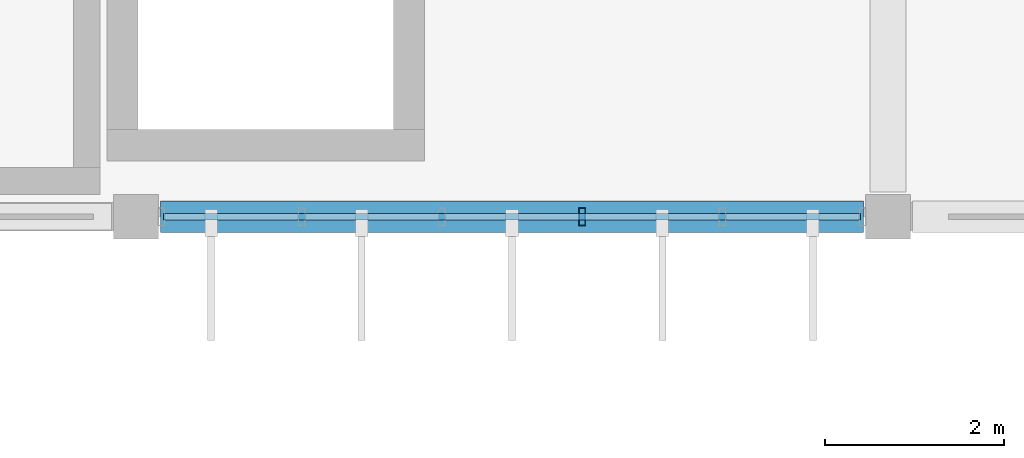
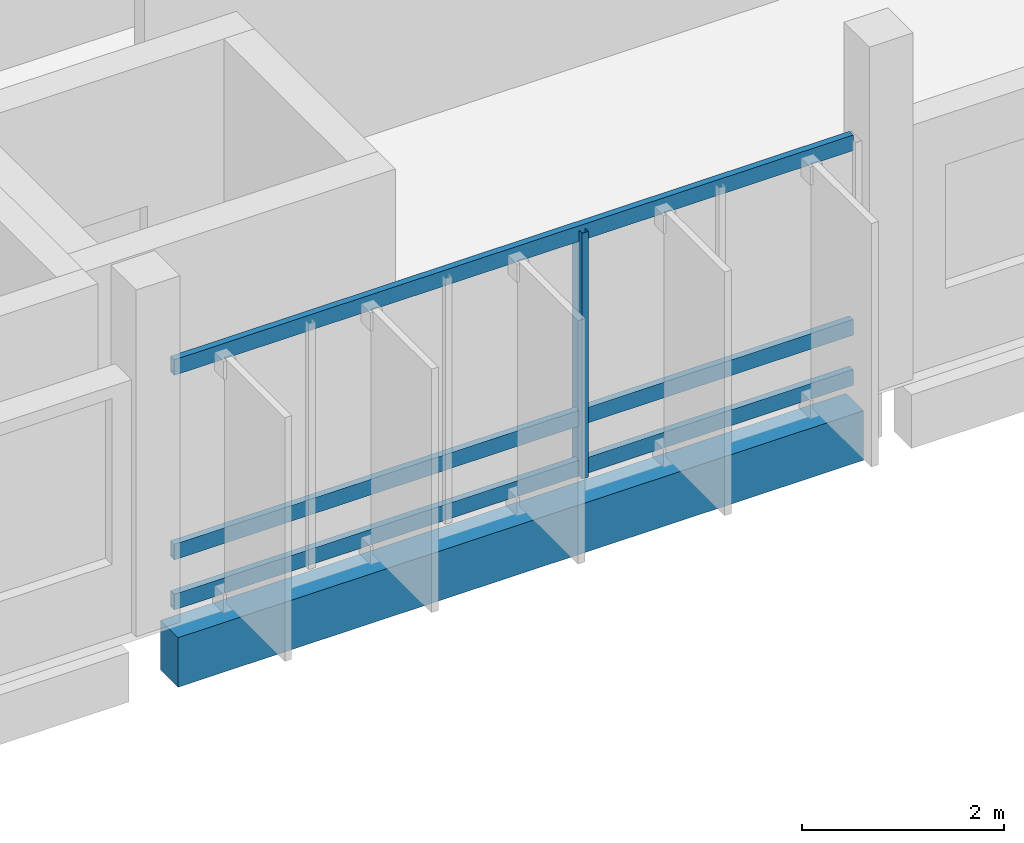
# One storey, part 39 of 107: 4 members, 1 beam, 1 element without a shape of its own.
"""IFC4 building model written with IfcOpenShell, lengths in metres."""

from ifc_helpers import new_model, si_unit, direction, frame, origin, origin_2d, place, context, subcontext, project, spatial, rectangle, hollow_rectangle, extrude, material, layer, layer_set, material_profile, profile_set, type_object, element, aggregate, save


model = new_model("IFC4")

# Units and contexts
model_context = context("Model", 3, precision=1e-05, world=origin(), true_north=direction((0.0, 1.0)))
body_context = subcontext(model_context, "Body", "Model", "MODEL_VIEW")
ifc_project = project(units=[si_unit("LENGTHUNIT", "METRE"), si_unit("AREAUNIT", "SQUARE_METRE"), si_unit("VOLUMEUNIT", "CUBIC_METRE"), si_unit("PLANEANGLEUNIT", "RADIAN"), si_unit("MASSUNIT", "GRAM", prefix="KILO")], contexts=[model_context])

# Site, building, storey
site_placement = place(None, origin())
site = spatial("IfcSite", under=ifc_project, at=site_placement, CompositionType="ELEMENT")
building_placement = place(site_placement, origin())
building = spatial("IfcBuilding", under=site, at=building_placement, Name="Vireocrest Preparatory School", CompositionType="ELEMENT")
storey_placement = place(building_placement, frame((0.0, 0.0, 13.199951171875)))
storey = spatial("IfcBuildingStorey", under=building, at=storey_placement, Name="L03", CompositionType="ELEMENT", Elevation=13.199951171875)

# Curtain wall, members
ifc_material_1 = material(Name="Thermally broken aluminium EN AW-6063-T6", Category="aluminium")
ifc_layer = layer(ifc_material_1, 0.179931640625)
ifc_layer_set = layer_set([ifc_layer], Name="Thermally broken aluminium EN AW-6063-T6")
curtain_wall_type = type_object("IfcCurtainWallType", Name="Library Reading Bay Glazing 7600x4200", PredefinedType="USERDEFINED", material=ifc_layer_set)
curtain_wall_placement = place(storey_placement, origin())
curtain_wall = element("IfcCurtainWall", 1, at=curtain_wall_placement, inside=storey, type_object=curtain_wall_type, Name="Curtain Wall CW16 CW_L03_CW16_0590_0948_132", ObjectType="CURTAIN WALL", PredefinedType="USERDEFINED")
ifc_material_profile_1 = material_profile(ifc_material_1, hollow_rectangle(XDim=0.074951171875, YDim=0.199951171875, WallThickness=0.0048828125, at=origin_2d()), Name="ALU 75x200x5")
ifc_profile_set_1 = profile_set([ifc_material_profile_1], Name="Thermally broken aluminium EN AW-6063-T6")
member_type_1 = type_object("IfcMemberType", Name="CW Mullion 75x200x5", PredefinedType="MULLION", material=ifc_profile_set_1)
member_1_placement = place(storey_placement, frame((63.782958984375, 94.800048828125, 0.0), z_axis=(0.0, 0.0, 1.0), x_axis=(1.0, 0.0, 0.0)))
member_1 = element("IfcMember", 2, at=member_1_placement, type_object=member_type_1, Name="CW Mullion ML3 CW_L03_CW16_0590_0948_132-4", PredefinedType="MULLION", context=body_context, shape_type="SweptSolid", body=[
    extrude(hollow_rectangle(XDim=0.074951171875, YDim=0.199951171875, WallThickness=0.0048828125, at=origin_2d()), origin(), (0.0, 0.0, 1.0), 2.97509765625),
])
ifc_material_profile_2 = material_profile(ifc_material_1, hollow_rectangle(XDim=0.074951171875, YDim=0.18994140625, WallThickness=0.00390625, at=origin_2d()), Name="ALU 75x190x4")
ifc_profile_set_2 = profile_set([ifc_material_profile_2], Name="Thermally broken aluminium EN AW-6063-T6")
member_type_2 = type_object("IfcMemberType", Name="CW Transom 75x190x4", PredefinedType="USERDEFINED", material=ifc_profile_set_2)
member_2_placement = place(storey_placement, frame((59.110107421875, 94.800048828125, 0.094970703125), z_axis=(1.0, 0.0, 0.0), x_axis=(0.0, 1.0, 0.0)))
member_2 = element("IfcMember", 3, at=member_2_placement, type_object=member_type_2, Name="CW Transom TR3 CW_L03_CW16_0590_0948_132-1", ObjectType="TRANSOM", PredefinedType="USERDEFINED", context=body_context, shape_type="SweptSolid", body=[
    extrude(hollow_rectangle(XDim=0.074951171875, YDim=0.18994140625, WallThickness=0.00390625, at=origin_2d()), origin(), (0.0, 0.0, 1.0), 7.77978515625),
])
member_3_placement = place(storey_placement, frame((59.110107421875, 94.800048828125, 0.699951171875), z_axis=(1.0, 0.0, 0.0), x_axis=(0.0, 1.0, 0.0)))
member_3 = element("IfcMember", 4, at=member_3_placement, type_object=member_type_2, Name="CW Transom TR3 CW_L03_CW16_0590_0948_132-2", ObjectType="TRANSOM", PredefinedType="USERDEFINED", context=body_context, shape_type="SweptSolid", body=[
    extrude(hollow_rectangle(XDim=0.074951171875, YDim=0.18994140625, WallThickness=0.00390625, at=origin_2d()), origin(), (0.0, 0.0, 1.0), 7.77978515625),
])
member_4_placement = place(storey_placement, frame((59.110107421875, 94.800048828125, 2.93505859375), z_axis=(1.0, 0.0, 0.0), x_axis=(0.0, 1.0, 0.0)))
member_4 = element("IfcMember", 5, at=member_4_placement, type_object=member_type_2, Name="CW Transom TR3 CW_L03_CW16_0590_0948_132-3", ObjectType="TRANSOM", PredefinedType="USERDEFINED", context=body_context, shape_type="SweptSolid", body=[
    extrude(hollow_rectangle(XDim=0.074951171875, YDim=0.18994140625, WallThickness=0.00390625, at=origin_2d()), origin(), (0.0, 0.0, 1.0), 7.77978515625),
])
aggregate(curtain_wall, [member_1, member_2, member_3, member_4])

# Beam
ifc_material_2 = material(Name="Concrete 40 MPa", Category="concrete")
ifc_material_profile_3 = material_profile(ifc_material_2, rectangle(XDim=0.35009765625, YDim=0.60009765625, at=origin_2d()), Name="RC 350x600")
ifc_profile_set_3 = profile_set([ifc_material_profile_3], Name="Concrete 40 MPa")
beam_type = type_object("IfcBeamType", Name="RC Classroom Girder 350x600", PredefinedType="BEAM", material=ifc_profile_set_3)
beam_placement = place(storey_placement, frame((59.074951171875, 94.800048828125, -0.5400390625), z_axis=(1.0, 0.0, 0.0), x_axis=(0.0, 1.0, 0.0)))
element("IfcBeam", 6, at=beam_placement, inside=storey, type_object=beam_type, Name="Primary Girder B04 L03-1082", PredefinedType="BEAM", context=body_context, shape_type="SweptSolid", body=[
    extrude(rectangle(XDim=0.35009765625, YDim=0.60009765625, at=origin_2d()), origin(), (0.0, 0.0, 1.0), 7.85009765625),
])

save(model, "model.ifc")
